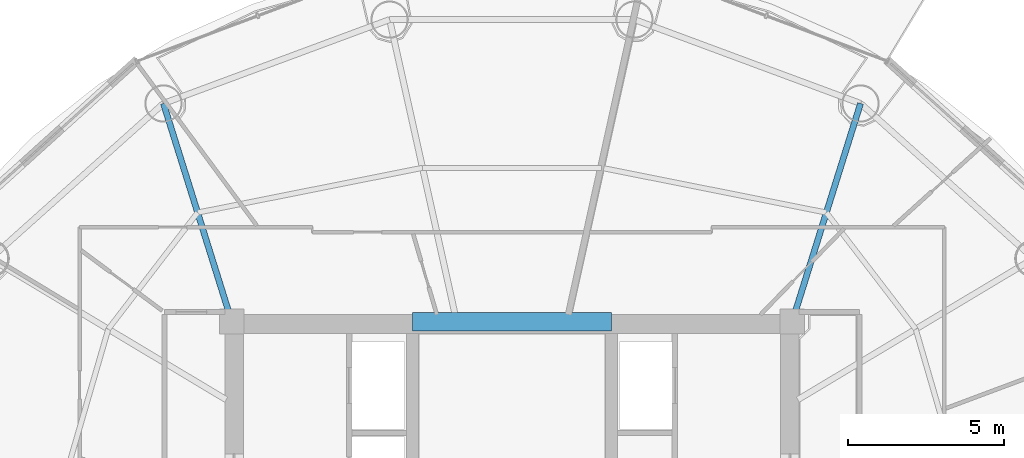
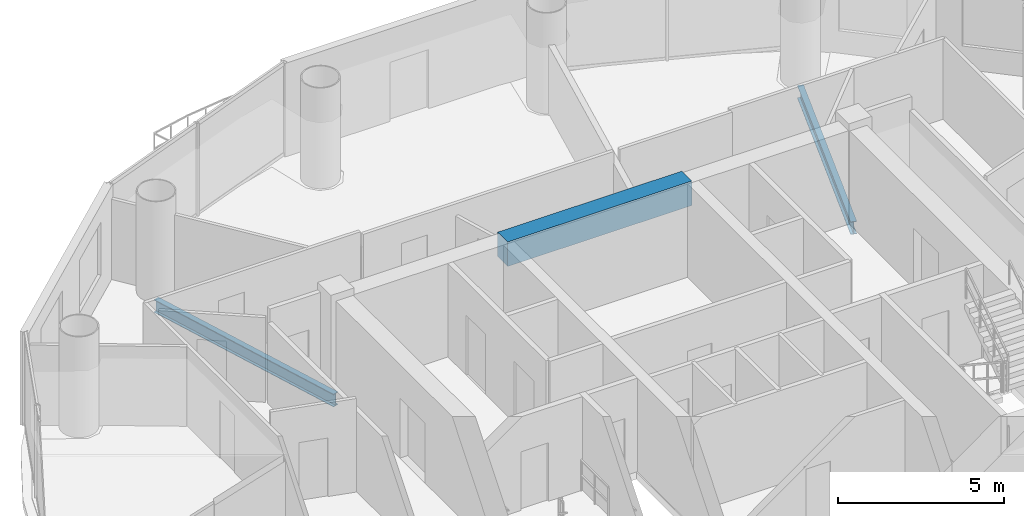
# One storey, part 10 of 26: 3 beams.
"""IFC4 building model written with IfcOpenShell, lengths in metres."""

from ifc_helpers import new_model, si_unit, direction, frame, origin, origin_2d, place, context, subcontext, project, spatial, rectangle, i_section, extrude, material, material_profile, profile_set, type_object, element, save


model = new_model("IFC4")

# Units and contexts
model_context = context("Model", 3, precision=1e-05, world=origin(), true_north=direction((-0.2419218956, 0.970295726276)))
body_context = subcontext(model_context, "Body", "Model", "MODEL_VIEW")
ifc_project = project(units=[si_unit("LENGTHUNIT", "METRE"), si_unit("AREAUNIT", "SQUARE_METRE"), si_unit("VOLUMEUNIT", "CUBIC_METRE"), si_unit("PLANEANGLEUNIT", "RADIAN"), si_unit("MASSUNIT", "GRAM", prefix="KILO")], contexts=[model_context])

# Site, building, storey
site_placement = place(None, origin())
site = spatial("IfcSite", under=ifc_project, at=site_placement, CompositionType="ELEMENT")
building_placement = place(site_placement, origin())
building = spatial("IfcBuilding", under=site, at=building_placement, Name="Cobrevalo Terracotta Tower", CompositionType="ELEMENT")
storey_placement = place(building_placement, frame((0.0, 0.0, 231.89990234375)))
storey = spatial("IfcBuildingStorey", under=building, at=storey_placement, Name="L61", CompositionType="ELEMENT", Elevation=231.89990234375)

# Beams
ifc_material_1 = material(Name="Concrete C60", Category="concrete")
ifc_material_profile_1 = material_profile(ifc_material_1, rectangle(XDim=0.60009765625, YDim=0.89990234375, at=origin_2d()), Name="RC CB 600x900")
ifc_profile_set_1 = profile_set([ifc_material_profile_1], Name="Concrete C60")
beam_type_1 = type_object("IfcBeamType", Name="Structural Beam RC CB 600x900 (Concrete C60)", PredefinedType="BEAM", material=ifc_profile_set_1)
beam_placement = place(storey_placement, frame((34.800048828125, 34.800048828125, 2.985107421875), z_axis=(1.0, 0.0, 0.0), x_axis=(0.0, 1.0, 0.0)))
element("IfcBeam", 1, at=beam_placement, inside=storey, type_object=beam_type_1, Name="L61 core coupling beam 2", PredefinedType="BEAM", context=body_context, shape_type="SweptSolid", body=[
    extrude(rectangle(XDim=0.60009765625, YDim=0.89990234375, at=origin_2d()), origin(), (0.0, 0.0, 1.0), 6.39990234375),
])
ifc_material_2 = material(Name="Steel S355", Category="steel")
ifc_material_profile_2 = material_profile(ifc_material_2, i_section(OverallWidth=0.194091796875, OverallDepth=0.468994140625, WebThickness=0.011474609375, FlangeThickness=0.0205078125, at=origin_2d()), Name="W 460x106")
ifc_profile_set_2 = profile_set([ifc_material_profile_2], Name="Steel S355")
beam_type_2 = type_object("IfcBeamType", Name="Structural Beam W 460x106 (Steel S355)", PredefinedType="BEAM", material=ifc_profile_set_2)
for number, where, z_axis, x_axis, name in (
    (2, (49.19482421875, 41.80810546875, -0.49951171875), (-0.298871212691, -0.954293454984, 0.0), (0.954293454984, -0.298871212691, 0.0), "L61 radial floor girder 03"),
    (3, (26.80517578125, 41.80810546875, -0.49951171875), (0.298871212691, -0.954293454984, 0.0), (0.954293454984, 0.298871212691, 0.0), "L61 radial floor girder 06"),
):
    element("IfcBeam", number, at=place(storey_placement, frame(where, z_axis=z_axis, x_axis=x_axis)), inside=storey, type_object=beam_type_2, Name=name, PredefinedType="BEAM", context=body_context, shape_type="SweptSolid", body=[
        extrude(i_section(OverallWidth=0.194091796875, OverallDepth=0.468994140625, WebThickness=0.011474609375, FlangeThickness=0.0205078125, at=origin_2d()), origin(), (0.0, 0.0, 1.0), 7.34375),
    ])

save(model, "model.ifc")
